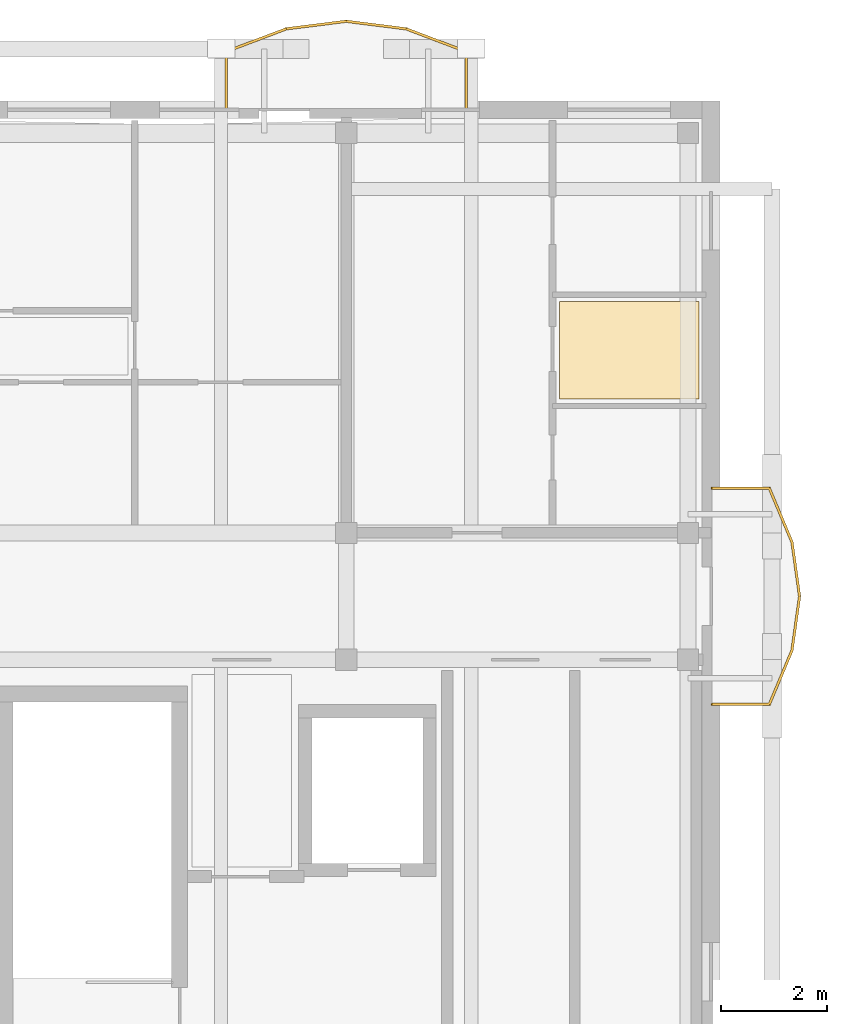
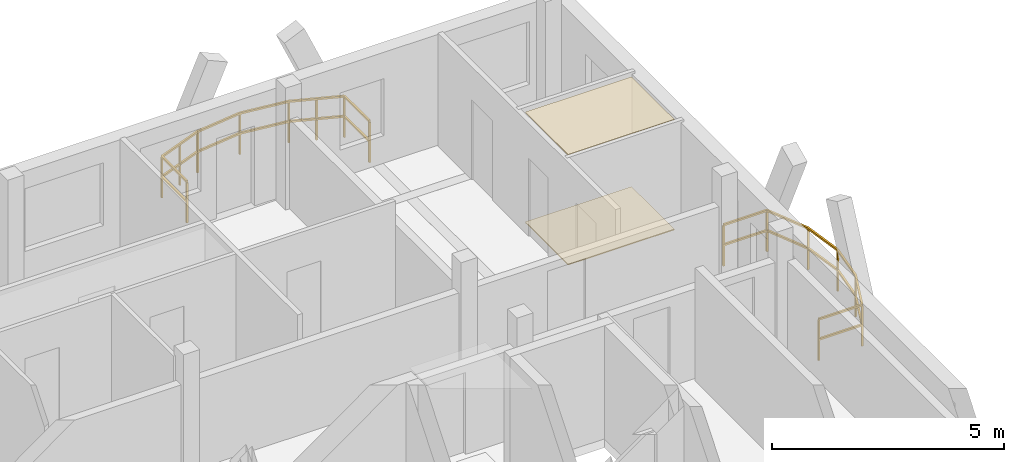
# One storey, part 18 of 18: 2 coverings, 2 railings.
"""IFC4 building model written with IfcOpenShell, lengths in metres."""

from ifc_helpers import new_model, si_unit, direction, frame, origin, origin_2d, place, context, subcontext, project, spatial, polyline, rectangle, outline, extrude, material, layer, layer_set, type_object, element, save


model = new_model("IFC4")

# Units and contexts
model_context = context("Model", 3, precision=1e-05, world=origin(), true_north=direction((0.0, 1.0)))
body_context = subcontext(model_context, "Body", "Model", "MODEL_VIEW")
ifc_project = project(units=[si_unit("LENGTHUNIT", "METRE"), si_unit("AREAUNIT", "SQUARE_METRE"), si_unit("VOLUMEUNIT", "CUBIC_METRE"), si_unit("PLANEANGLEUNIT", "RADIAN"), si_unit("MASSUNIT", "GRAM", prefix="KILO")], contexts=[model_context])

# Site, building, storey
site_placement = place(None, origin())
site = spatial("IfcSite", under=ifc_project, at=site_placement, CompositionType="ELEMENT")
building_placement = place(site_placement, origin())
building = spatial("IfcBuilding", under=site, at=building_placement, Name="Zavelmont Quarter", CompositionType="ELEMENT")
storey_placement = place(building_placement, frame((0.0, 0.0, 40.0)))
storey = spatial("IfcBuildingStorey", under=building, at=storey_placement, Name="L12", CompositionType="ELEMENT", Elevation=40.0)

# Coverings
ifc_material_1 = material(Name="Moisture-resistant painted gypsum ceiling")
ifc_layer_1 = layer(ifc_material_1, 0.02001953125)
ifc_layer_set_1 = layer_set([ifc_layer_1], Name="Moisture-resistant painted gypsum ceiling")
covering_type_1 = type_object("IfcCoveringType", Name="CV-CL04", PredefinedType="CEILING", material=ifc_layer_set_1)
covering_1_placement = place(storey_placement, frame((0.0, 0.0, 2.889892578125)))
element("IfcCovering", 1, at=covering_1_placement, inside=storey, type_object=covering_type_1, Name="L12 Bathroom acoustic ceiling", PredefinedType="CEILING", context=body_context, shape_type="SweptSolid", body=[
    extrude(outline(polyline([(38.530029296875, 112.3701171875), (41.169921875, 112.3701171875), (41.169921875, 110.530029296875), (38.530029296875, 110.530029296875), (38.530029296875, 112.3701171875)])), origin(), (0.0, 0.0, 1.0), 0.02001953125),
])
ifc_material_2 = material(Name="Slip-resistant porcelain tile")
ifc_layer_2 = layer(ifc_material_2, 0.02587890625)
ifc_layer_set_2 = layer_set([ifc_layer_2], Name="Slip-resistant porcelain tile")
covering_type_2 = type_object("IfcCoveringType", Name="CV-FL04", PredefinedType="FLOORING", material=ifc_layer_set_2)
covering_2_placement = place(storey_placement, origin())
element("IfcCovering", 2, at=covering_2_placement, inside=storey, type_object=covering_type_2, Name="L12 Bathroom floor finish", PredefinedType="FLOORING", context=body_context, shape_type="SweptSolid", body=[
    extrude(outline(polyline([(38.530029296875, 112.3701171875), (41.169921875, 112.3701171875), (41.169921875, 110.530029296875), (38.530029296875, 110.530029296875), (38.530029296875, 112.3701171875)])), origin(), (0.0, 0.0, 1.0), 0.02587890625),
])

# Railings
ifc_material_3 = material(Name="Powder-coated steel and tempered double safety glass", Category="steel")
railing_type = type_object("IfcRailingType", Name="RL-BAL1", PredefinedType="BALUSTRADE", material=ifc_material_3)
railing_1_placement = place(storey_placement, frame((36.766357421875, 116.02001953125, 0.0)))
element("IfcRailing", 3, at=railing_1_placement, inside=storey, type_object=railing_type, Name="L12 Block B curved balcony guard RL-BAL1", PredefinedType="BALUSTRADE", context=body_context, shape_type="SweptSolid", body=[
    extrude(rectangle(XDim=0.048095703125, YDim=0.048095703125, at=origin_2d()), frame((0.0, 0.0, 1.076171875), z_axis=(0.0, 1.0, 0.0), x_axis=(-1.0, 0.0, 0.0)), (0.0, 0.0, 1.0), 1.080078125),
    extrude(rectangle(XDim=0.048095703125, YDim=0.048095703125, at=origin_2d()), frame((0.0, 0.0, 0.550048828125), z_axis=(0.0, 1.0, 0.0), x_axis=(-1.0, 0.0, 0.0)), (0.0, 0.0, 1.0), 1.080078125),
    extrude(rectangle(XDim=0.048095703125, YDim=0.048095703125, at=origin_2d()), frame((0.0, 1.080078125, 1.076171875), z_axis=(-0.935022864768, 0.354587425553, 0.0), x_axis=(-0.354587425553, -0.935022864768, 0.0)), (0.0, 0.0, 1.0), 1.2119140625),
    extrude(rectangle(XDim=0.048095703125, YDim=0.048095703125, at=origin_2d()), frame((0.0, 1.080078125, 0.550048828125), z_axis=(-0.935022864768, 0.354587425553, 0.0), x_axis=(-0.354587425553, -0.935022864768, 0.0)), (0.0, 0.0, 1.0), 1.2119140625),
    extrude(rectangle(XDim=0.048095703125, YDim=0.048095703125, at=origin_2d()), frame((-1.133056640625, 1.509765625, 1.076171875), z_axis=(-0.992099306069, 0.12545503935, 0.0), x_axis=(-0.12545503935, -0.992099306069, 0.0)), (0.0, 0.0, 1.0), 1.142333984375),
    extrude(rectangle(XDim=0.048095703125, YDim=0.048095703125, at=origin_2d()), frame((-1.133056640625, 1.509765625, 0.550048828125), z_axis=(-0.992099306069, 0.12545503935, 0.0), x_axis=(-0.12545503935, -0.992099306069, 0.0)), (0.0, 0.0, 1.0), 1.142333984375),
    extrude(rectangle(XDim=0.048095703125, YDim=0.048095703125, at=origin_2d()), frame((-2.266357421875, 1.653076171875, 1.076171875), z_axis=(-0.992099306069, -0.12545503935, 0.0), x_axis=(0.12545503935, -0.992099306069, 0.0)), (0.0, 0.0, 1.0), 1.142333984375),
    extrude(rectangle(XDim=0.048095703125, YDim=0.048095703125, at=origin_2d()), frame((-2.266357421875, 1.653076171875, 0.550048828125), z_axis=(-0.992099306069, -0.12545503935, 0.0), x_axis=(0.12545503935, -0.992099306069, 0.0)), (0.0, 0.0, 1.0), 1.142333984375),
    extrude(rectangle(XDim=0.048095703125, YDim=0.048095703125, at=origin_2d()), frame((-3.399658203125, 1.509765625, 1.076171875), z_axis=(-0.935022864768, -0.354587425553, 0.0), x_axis=(0.354587425553, -0.935022864768, 0.0)), (0.0, 0.0, 1.0), 1.2119140625),
    extrude(rectangle(XDim=0.048095703125, YDim=0.048095703125, at=origin_2d()), frame((-3.399658203125, 1.509765625, 0.550048828125), z_axis=(-0.935022864768, -0.354587425553, 0.0), x_axis=(0.354587425553, -0.935022864768, 0.0)), (0.0, 0.0, 1.0), 1.2119140625),
    extrude(rectangle(XDim=0.048095703125, YDim=0.048095703125, at=origin_2d()), frame((-4.53271484375, 1.080078125, 1.076171875), z_axis=(0.0, -1.0, 0.0), x_axis=(1.0, 0.0, 0.0)), (0.0, 0.0, 1.0), 1.080078125),
    extrude(rectangle(XDim=0.048095703125, YDim=0.048095703125, at=origin_2d()), frame((-4.53271484375, 1.080078125, 0.550048828125), z_axis=(0.0, -1.0, 0.0), x_axis=(1.0, 0.0, 0.0)), (0.0, 0.0, 1.0), 1.080078125),
    extrude(rectangle(XDim=0.0419921875, YDim=0.0419921875, at=origin_2d()), origin(), (0.0, 0.0, 1.0), 1.052001953125),
    extrude(rectangle(XDim=0.0419921875, YDim=0.0419921875, at=origin_2d()), frame((0.0, 1.080078125, 0.0)), (0.0, 0.0, 1.0), 1.052001953125),
    extrude(rectangle(XDim=0.0419921875, YDim=0.0419921875, at=origin_2d()), frame((-0.56640625, 1.294921875, 0.0)), (0.0, 0.0, 1.0), 1.052001953125),
    extrude(rectangle(XDim=0.0419921875, YDim=0.0419921875, at=origin_2d()), frame((-1.133056640625, 1.509765625, 0.0)), (0.0, 0.0, 1.0), 1.052001953125),
    extrude(rectangle(XDim=0.0419921875, YDim=0.0419921875, at=origin_2d()), frame((-2.266357421875, 1.653076171875, 0.0)), (0.0, 0.0, 1.0), 1.052001953125),
    extrude(rectangle(XDim=0.0419921875, YDim=0.0419921875, at=origin_2d()), frame((-3.399658203125, 1.509765625, 0.0)), (0.0, 0.0, 1.0), 1.052001953125),
    extrude(rectangle(XDim=0.0419921875, YDim=0.0419921875, at=origin_2d()), frame((-3.96630859375, 1.294921875, 0.0)), (0.0, 0.0, 1.0), 1.052001953125),
    extrude(rectangle(XDim=0.0419921875, YDim=0.0419921875, at=origin_2d()), frame((-4.53271484375, 1.080078125, 0.0)), (0.0, 0.0, 1.0), 1.052001953125),
    extrude(rectangle(XDim=0.0419921875, YDim=0.0419921875, at=origin_2d()), frame((-4.53271484375, 0.0, 0.0)), (0.0, 0.0, 1.0), 1.052001953125),
])
railing_2_placement = place(storey_placement, frame((41.419921875, 104.755126953125, 0.0)))
element("IfcRailing", 4, at=railing_2_placement, inside=storey, type_object=railing_type, Name="L12 Block B curved balcony guard RL-BAL1", PredefinedType="BALUSTRADE", context=body_context, shape_type="SweptSolid", body=[
    extrude(rectangle(XDim=0.048095703125, YDim=0.048095703125, at=origin_2d()), frame((0.0, 0.0, 1.076171875), z_axis=(1.0, 0.0, 0.0), x_axis=(0.0, 1.0, 0.0)), (0.0, 0.0, 1.0), 1.080078125),
    extrude(rectangle(XDim=0.048095703125, YDim=0.048095703125, at=origin_2d()), frame((0.0, 0.0, 0.550048828125), z_axis=(1.0, 0.0, 0.0), x_axis=(0.0, 1.0, 0.0)), (0.0, 0.0, 1.0), 1.080078125),
    extrude(rectangle(XDim=0.048095703125, YDim=0.048095703125, at=origin_2d()), frame((1.080078125, 0.0, 1.076171875), z_axis=(0.387427081462, 0.921900350661, 0.0), x_axis=(-0.921900350661, 0.387427081462, 0.0)), (0.0, 0.0, 1.0), 1.109130859375),
    extrude(rectangle(XDim=0.048095703125, YDim=0.048095703125, at=origin_2d()), frame((1.080078125, 0.0, 0.550048828125), z_axis=(0.387427081462, 0.921900350661, 0.0), x_axis=(-0.921900350661, 0.387427081462, 0.0)), (0.0, 0.0, 1.0), 1.109130859375),
    extrude(rectangle(XDim=0.048095703125, YDim=0.048095703125, at=origin_2d()), frame((1.509765625, 1.0224609375, 1.076171875), z_axis=(0.138805548629, 0.990319655298, 0.0), x_axis=(-0.990319655298, 0.138805548629, 0.0)), (0.0, 0.0, 1.0), 1.032470703125),
    extrude(rectangle(XDim=0.048095703125, YDim=0.048095703125, at=origin_2d()), frame((1.509765625, 1.0224609375, 0.550048828125), z_axis=(0.138805548629, 0.990319655298, 0.0), x_axis=(-0.990319655298, 0.138805548629, 0.0)), (0.0, 0.0, 1.0), 1.032470703125),
    extrude(rectangle(XDim=0.048095703125, YDim=0.048095703125, at=origin_2d()), frame((1.653076171875, 2.044921875, 1.076171875), z_axis=(-0.138805548629, 0.990319655298, 0.0), x_axis=(-0.990319655298, -0.138805548629, 0.0)), (0.0, 0.0, 1.0), 1.032470703125),
    extrude(rectangle(XDim=0.048095703125, YDim=0.048095703125, at=origin_2d()), frame((1.653076171875, 2.044921875, 0.550048828125), z_axis=(-0.138805548629, 0.990319655298, 0.0), x_axis=(-0.990319655298, -0.138805548629, 0.0)), (0.0, 0.0, 1.0), 1.032470703125),
    extrude(rectangle(XDim=0.048095703125, YDim=0.048095703125, at=origin_2d()), frame((1.509765625, 3.0673828125, 1.076171875), z_axis=(-0.38750571931, 0.921867299291, 0.0), x_axis=(-0.921867299291, -0.38750571931, 0.0)), (0.0, 0.0, 1.0), 1.10888671875),
    extrude(rectangle(XDim=0.048095703125, YDim=0.048095703125, at=origin_2d()), frame((1.509765625, 3.0673828125, 0.550048828125), z_axis=(-0.38750571931, 0.921867299291, 0.0), x_axis=(-0.921867299291, -0.38750571931, 0.0)), (0.0, 0.0, 1.0), 1.10888671875),
    extrude(rectangle(XDim=0.048095703125, YDim=0.048095703125, at=origin_2d()), frame((1.080078125, 4.089599609375, 1.076171875), z_axis=(-1.0, 0.0, 0.0), x_axis=(0.0, -1.0, 0.0)), (0.0, 0.0, 1.0), 1.080078125),
    extrude(rectangle(XDim=0.048095703125, YDim=0.048095703125, at=origin_2d()), frame((1.080078125, 4.089599609375, 0.550048828125), z_axis=(-1.0, 0.0, 0.0), x_axis=(0.0, -1.0, 0.0)), (0.0, 0.0, 1.0), 1.080078125),
    extrude(rectangle(XDim=0.0419921875, YDim=0.0419921875, at=origin_2d()), origin(), (0.0, 0.0, 1.0), 1.052001953125),
    extrude(rectangle(XDim=0.0419921875, YDim=0.0419921875, at=origin_2d()), frame((1.080078125, 0.0, 0.0)), (0.0, 0.0, 1.0), 1.052001953125),
    extrude(rectangle(XDim=0.0419921875, YDim=0.0419921875, at=origin_2d()), frame((1.509765625, 1.0224609375, 0.0)), (0.0, 0.0, 1.0), 1.052001953125),
    extrude(rectangle(XDim=0.0419921875, YDim=0.0419921875, at=origin_2d()), frame((1.653076171875, 2.044921875, 0.0)), (0.0, 0.0, 1.0), 1.052001953125),
    extrude(rectangle(XDim=0.0419921875, YDim=0.0419921875, at=origin_2d()), frame((1.509765625, 3.0673828125, 0.0)), (0.0, 0.0, 1.0), 1.052001953125),
    extrude(rectangle(XDim=0.0419921875, YDim=0.0419921875, at=origin_2d()), frame((1.080078125, 4.089599609375, 0.0)), (0.0, 0.0, 1.0), 1.052001953125),
    extrude(rectangle(XDim=0.0419921875, YDim=0.0419921875, at=origin_2d()), frame((0.0, 4.089599609375, 0.0)), (0.0, 0.0, 1.0), 1.052001953125),
])

save(model, "model.ifc")
